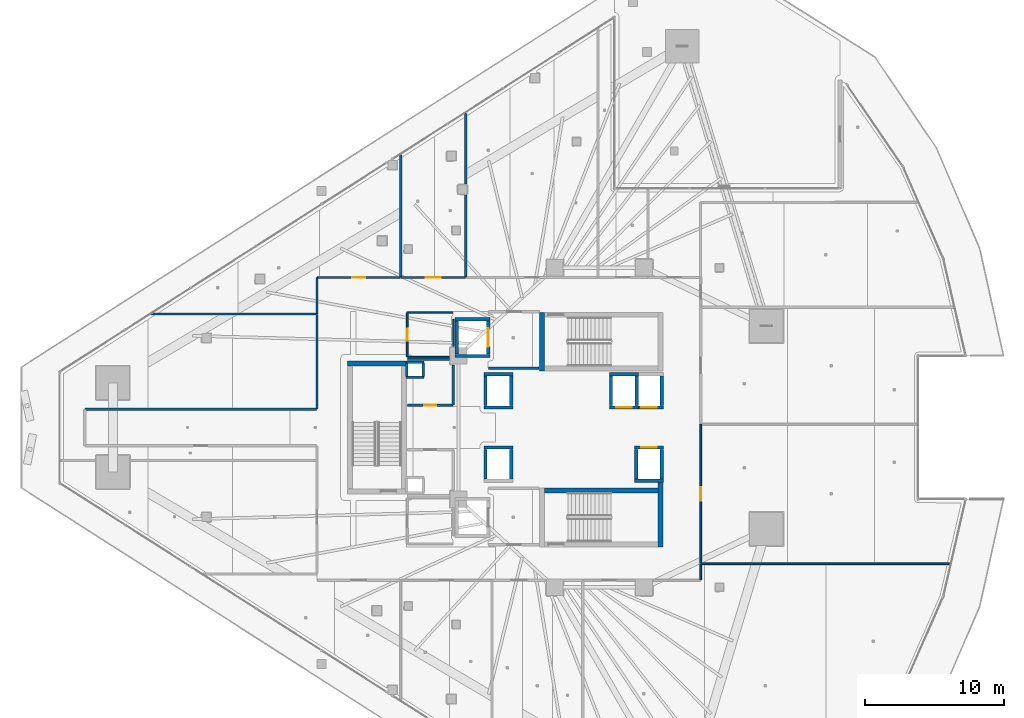
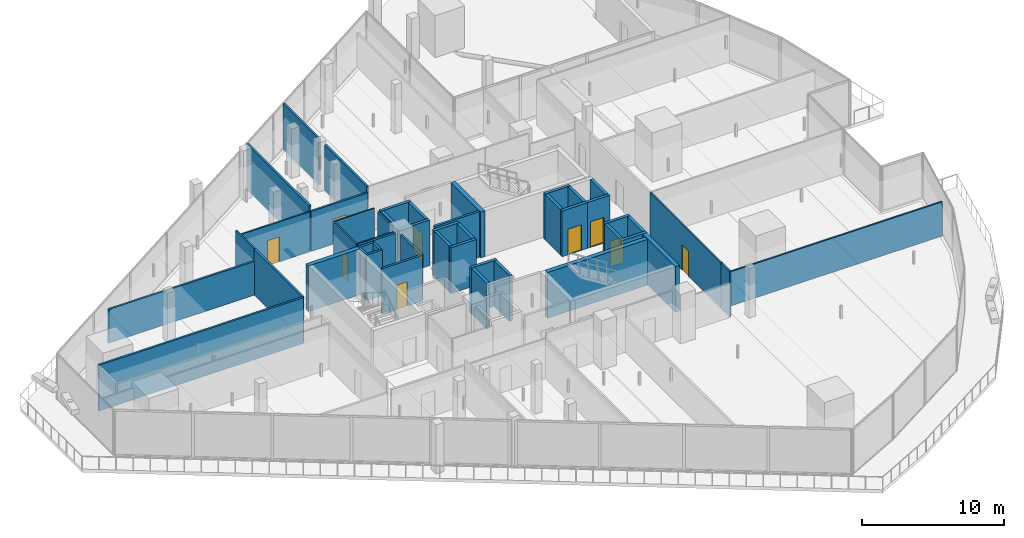
# One storey, part 32 of 47: 49 walls, 9 doors, 9 openings.
"""IFC4 building model written with IfcOpenShell, lengths in metres."""

from ifc_helpers import new_model, si_unit, direction, frame, frame_2d, origin, place, context, subcontext, project, spatial, rectangle, extrude, material, layer, layer_set, type_object, element, fill, save


model = new_model("IFC4")

# Units and contexts
model_context = context("Model", 3, precision=1e-05, world=origin(), true_north=direction((0.0, 1.0)))
body_context = subcontext(model_context, "Body", "Model", "MODEL_VIEW")
ifc_project = project(units=[si_unit("LENGTHUNIT", "METRE"), si_unit("AREAUNIT", "SQUARE_METRE"), si_unit("VOLUMEUNIT", "CUBIC_METRE"), si_unit("PLANEANGLEUNIT", "RADIAN"), si_unit("MASSUNIT", "GRAM", prefix="KILO")], contexts=[model_context])

# Site, building, storey
site_placement = place(None, origin())
site = spatial("IfcSite", under=ifc_project, at=site_placement, CompositionType="ELEMENT")
building_placement = place(site_placement, origin())
building = spatial("IfcBuilding", under=site, at=building_placement, Name="Qorvath Tower", CompositionType="ELEMENT")
storey_placement = place(building_placement, frame((0.0, 0.0, 82.800048828125)))
storey = spatial("IfcBuildingStorey", under=building, at=storey_placement, Name="L18", CompositionType="ELEMENT", Elevation=82.800048828125)

# Walls
ifc_material_1 = material(Name="Gypsum shaftliner on steel studs", Category="steel")
ifc_layer_1 = layer(ifc_material_1, 0.179931640625)
ifc_layer_set_1 = layer_set([ifc_layer_1], Name="FW-LOBBY")
wall_type_1 = type_object("IfcWallType", Name="FW-LOBBY", PredefinedType="PARTITIONING", material=ifc_layer_set_1)
for number, where, z_axis, x_axis, name in (
    (1, (-32.989990234375, 3.594970703125, 0.0), (0.0, 0.0, 1.0), (-1.0, 0.0, 0.0), "MEP Riser Shaft Enclosure Wall N-L18-S"),
    (2, (-34.260009765625, 4.675048828125, 0.0), (0.0, 0.0, 1.0), (1.0, 0.0, 0.0), "MEP Riser Shaft Enclosure Wall N-L18-N"),
):
    element("IfcWall", number, at=place(storey_placement, frame(where, z_axis=z_axis, x_axis=x_axis)), inside=storey, type_object=wall_type_1, Name=name, PredefinedType="PARTITIONING", context=body_context, shape_type="SweptSolid", body=[
        extrude(rectangle(XDim=1.27001953125, YDim=0.179931640625, at=frame_2d((0.635009765625, 0.0))), origin(), (0.0, 0.0, 1.0), 3.919921875),
    ])
for number, where, z_axis, x_axis, name in (
    (3, (-34.205078125, 3.659912109375, 0.0), (0.0, 0.0, 1.0), (0.0, 1.0, 0.0), "MEP Riser Shaft Enclosure Wall N-L18-W"),
    (4, (-33.044921875, 4.610107421875, 0.0), (0.0, 0.0, 1.0), (0.0, -1.0, 0.0), "MEP Riser Shaft Enclosure Wall N-L18-E"),
):
    element("IfcWall", number, at=place(storey_placement, frame(where, z_axis=z_axis, x_axis=x_axis)), inside=storey, type_object=wall_type_1, Name=name, PredefinedType="PARTITIONING", context=body_context, shape_type="SweptSolid", body=[
        extrude(rectangle(XDim=0.9501953125, YDim=0.179931640625, at=frame_2d((0.47509765625, 0.0))), origin(), (0.0, 0.0, 1.0), 3.919921875),
    ])
wall_1_placement = place(storey_placement, frame((-28.35498046875, 4.25, 0.0), z_axis=(0.0, 0.0, 1.0), x_axis=(1.0, 0.0, 0.0)))
element("IfcWall", 5, at=wall_1_placement, inside=storey, type_object=wall_type_1, Name="Interior Partition IW-T1-L18-001", PredefinedType="PARTITIONING", context=body_context, shape_type="SweptSolid", body=[
    extrude(rectangle(XDim=3.6220703125, YDim=0.179931640625, at=frame_2d((1.81103515625, 0.0))), origin(), (0.0, 0.0, 1.0), 3.919921875),
])

# Wall, opening, door
wall_2_placement = place(storey_placement, frame((-34.15478515625, 1.60009765625, 0.0), z_axis=(0.0, 0.0, 1.0), x_axis=(1.0, 0.0, 0.0)))
wall_2 = element("IfcWall", 6, at=wall_2_placement, inside=storey, type_object=wall_type_1, Name="Interior Partition IW-T1-L18-013", PredefinedType="PARTITIONING", context=body_context, shape_type="SweptSolid", body=[
    extrude(rectangle(XDim=3.25, YDim=0.179931640625, at=frame_2d((1.625, 0.0))), origin(), (0.0, 0.0, 1.0), 3.919921875),
])
opening_1_placement = place(wall_2_placement, frame((1.18505859375, 0.0, 0.0)))
opening_1 = element("IfcOpeningElement", 7, at=opening_1_placement, cuts=wall_2, Name="Opening D-T1-L18-03", PredefinedType="OPENING", context=body_context, shape_type="SweptSolid", body=[
    extrude(rectangle(XDim=0.8798828125, YDim=2.10009765625, at=frame_2d((0.43994140625, 1.050048828125))), frame((0.0, 0.10009765625, 0.0), z_axis=(0.0, -1.0, 0.0), x_axis=(1.0, 0.0, 0.0)), (0.0, 0.0, 1.0), 0.199951171875),
])
ifc_material_2 = material(Name="Painted galvanised hollow metal", Category="steel")
door_type_1 = type_object("IfcDoorType", Name="FD-60N", OperationType="NOTDEFINED", PredefinedType="DOOR", material=ifc_material_2)
door_1_placement = place(opening_1_placement, origin())
door_1 = element("IfcDoor", 8, at=door_1_placement, inside=storey, type_object=door_type_1, Name="Core cleaner and custodial room L18 Door D-T1-L18-03", OperationType="SINGLE_SWING_RIGHT", OverallHeight=2.10009765625, OverallWidth=0.8798828125, PredefinedType="DOOR", context=body_context, shape_type="SweptSolid", body=[
    extrude(rectangle(XDim=0.8798828125, YDim=2.10009765625, at=frame_2d((0.43994140625, 1.050048828125))), frame((0.0, 0.02490234375, 0.0), z_axis=(0.0, -1.0, 0.0), x_axis=(1.0, 0.0, 0.0)), (0.0, 0.0, 1.0), 0.050048828125),
])
fill(opening_1, door_1)

# Walls
wall_3_placement = place(storey_placement, frame((-30.8798828125, 1.625, 0.0), z_axis=(0.0, 0.0, 1.0), x_axis=(0.0, 1.0, 0.0)))
element("IfcWall", 9, at=wall_3_placement, inside=storey, type_object=wall_type_1, Name="Interior Partition IW-T1-L18-014", PredefinedType="PARTITIONING", context=body_context, shape_type="SweptSolid", body=[
    extrude(rectangle(XDim=2.860107421875, YDim=0.179931640625, at=frame_2d((1.43017578125, 0.0))), origin(), (0.0, 0.0, 1.0), 3.919921875),
])
wall_4_placement = place(storey_placement, frame((-31.1650390625, 4.89990234375, 0.0), z_axis=(0.0, 0.0, 1.0), x_axis=(-1.0, 0.0, 0.0)))
element("IfcWall", 10, at=wall_4_placement, inside=storey, type_object=wall_type_1, Name="Interior Partition IW-T1-L18-015", PredefinedType="PARTITIONING", context=body_context, shape_type="SweptSolid", body=[
    extrude(rectangle(XDim=2.98974609375, YDim=0.179931640625, at=frame_2d((1.494873046875, 0.0))), origin(), (0.0, 0.0, 1.0), 3.919921875),
])

# Wall, opening, door
ifc_material_3 = material(Name="Double acoustic gypsum board on steel studs", Category="steel")
ifc_layer_2 = layer(ifc_material_3, 0.159912109375)
ifc_layer_set_2 = layer_set([ifc_layer_2], Name="IW-ACOUSTIC-160")
wall_type_2 = type_object("IfcWallType", Name="IW-ACOUSTIC-160", PredefinedType="PARTITIONING", material=ifc_layer_set_2)
wall_5_placement = place(storey_placement, frame((-34.625, 10.758056640625, 0.0), z_axis=(0.0, 0.0, 1.0), x_axis=(1.0, 0.0, 0.0)))
wall_5 = element("IfcWall", 11, at=wall_5_placement, inside=storey, type_object=wall_type_2, Name="Interior Partition IW-T1-L18-019", PredefinedType="PARTITIONING", context=body_context, shape_type="SweptSolid", body=[
    extrude(rectangle(XDim=4.62109375, YDim=0.159912109375, at=frame_2d((2.310546875, 0.0))), origin(), (0.0, 0.0, 1.0), 3.432861328125),
])
opening_2_placement = place(wall_5_placement, frame((1.760498046875, 0.0, 0.0)))
opening_2 = element("IfcOpeningElement", 12, at=opening_2_placement, cuts=wall_5, Name="Opening D-T1-L18-05", PredefinedType="OPENING", context=body_context, shape_type="SweptSolid", body=[
    extrude(rectangle(XDim=1.10009765625, YDim=2.14990234375, at=frame_2d((0.550048828125, 1.074951171875))), frame((0.0, 0.08984375, 0.0), z_axis=(0.0, -1.0, 0.0), x_axis=(1.0, 0.0, 0.0)), (0.0, 0.0, 1.0), 0.179931640625),
])
ifc_material_4 = material(Name="Anodised aluminium acoustic framed glass", Category="aluminium")
door_type_2 = type_object("IfcDoorType", Name="D-03", OperationType="NOTDEFINED", PredefinedType="DOOR", material=ifc_material_4)
door_2_placement = place(opening_2_placement, origin())
door_2 = element("IfcDoor", 13, at=door_2_placement, inside=storey, type_object=door_type_2, Name="L18-01 Client Services Office Door D-T1-L18-05", OperationType="SINGLE_SWING_RIGHT", OverallHeight=2.14990234375, OverallWidth=1.10009765625, PredefinedType="DOOR", context=body_context, shape_type="SweptSolid", body=[
    extrude(rectangle(XDim=1.10009765625, YDim=2.14990234375, at=frame_2d((0.550048828125, 1.074951171875))), frame((0.0, 0.02490234375, 0.0), z_axis=(0.0, -1.0, 0.0), x_axis=(1.0, 0.0, 0.0)), (0.0, 0.0, 1.0), 0.050048828125),
])
fill(opening_2, door_2)

# Walls
wall_6_placement = place(storey_placement, frame((-29.97900390625, 10.783203125, 0.0), z_axis=(0.0, 0.0, 1.0), x_axis=(0.0, 1.0, 0.0)))
element("IfcWall", 14, at=wall_6_placement, inside=storey, type_object=wall_type_2, Name="Interior Partition IW-T1-L18-020", PredefinedType="PARTITIONING", context=body_context, shape_type="SweptSolid", body=[
    extrude(rectangle(XDim=5.886474609375, YDim=0.159912109375, at=frame_2d((2.943359375, 0.0))), origin(), (0.0, 0.0, 1.0), 3.919921875),
])
wall_7_placement = place(storey_placement, frame((-29.97900390625, 17.44970703125, 0.0), z_axis=(0.0, 0.0, 1.0), x_axis=(0.0, 1.0, 0.0)))
element("IfcWall", 15, at=wall_7_placement, inside=storey, type_object=wall_type_2, Name="Interior Partition IW-T1-L18-021", PredefinedType="PARTITIONING", context=body_context, shape_type="SweptSolid", body=[
    extrude(rectangle(XDim=5.072998046875, YDim=0.159912109375, at=frame_2d((2.53662109375, 0.0))), origin(), (0.0, 0.0, 1.0), 3.919921875),
])
wall_8_placement = place(storey_placement, frame((-34.64990234375, 19.537353515625, 0.0), z_axis=(0.0, 0.0, 1.0), x_axis=(0.0, -1.0, 0.0)))
element("IfcWall", 16, at=wall_8_placement, inside=storey, type_object=wall_type_2, Name="Interior Partition IW-T1-L18-022", PredefinedType="PARTITIONING", context=body_context, shape_type="SweptSolid", body=[
    extrude(rectangle(XDim=8.754150390625, YDim=0.159912109375, at=frame_2d((4.376953125, 0.0))), origin(), (0.0, 0.0, 1.0), 3.919921875),
])
wall_9_placement = place(storey_placement, frame((-57.277587890625, 1.30810546875, 0.0), z_axis=(0.0, 0.0, 1.0), x_axis=(1.0, 0.0, 0.0)))
element("IfcWall", 17, at=wall_9_placement, inside=storey, type_object=wall_type_2, Name="Interior Partition IW-T1-L18-053", PredefinedType="PARTITIONING", context=body_context, shape_type="SweptSolid", body=[
    extrude(rectangle(XDim=16.594482421875, YDim=0.159912109375, at=frame_2d((8.29736328125, 0.0))), origin(), (0.0, 0.0, 1.0), 3.919921875),
])
wall_10_placement = place(storey_placement, frame((-40.657958984375, 1.3330078125, 0.0), z_axis=(0.0, 0.0, 1.0), x_axis=(0.0, 1.0, 0.0)))
element("IfcWall", 18, at=wall_10_placement, inside=storey, type_object=wall_type_2, Name="Interior Partition IW-T1-L18-054", PredefinedType="PARTITIONING", context=body_context, shape_type="SweptSolid", body=[
    extrude(rectangle(XDim=6.7763671875, YDim=0.159912109375, at=frame_2d((3.38818359375, 0.0))), origin(), (0.0, 0.0, 1.0), 3.919921875),
])
wall_11_placement = place(storey_placement, frame((-40.68310546875, 8.13427734375, 0.0), z_axis=(0.0, 0.0, 1.0), x_axis=(-1.0, 0.0, 0.0)))
element("IfcWall", 19, at=wall_11_placement, inside=storey, type_object=wall_type_2, Name="Interior Partition IW-T1-L18-055", PredefinedType="PARTITIONING", context=body_context, shape_type="SweptSolid", body=[
    extrude(rectangle(XDim=11.853515625, YDim=0.159912109375, at=frame_2d((5.9267578125, 0.0))), origin(), (0.0, 0.0, 1.0), 2.889892578125),
])
ifc_material_5 = material(Name="Gypsum board on metal studs with mineral wool", Category="gypsum")
ifc_layer_3 = layer(ifc_material_5, 0.125)
ifc_layer_set_3 = layer_set([ifc_layer_3], Name="IW-PART-125")
wall_type_3 = type_object("IfcWallType", Name="IW-PART-125", PredefinedType="PARTITIONING", material=ifc_layer_set_3)
wall_12_placement = place(storey_placement, frame((4.711669921875, -9.774169921875, 0.0), z_axis=(0.0, 0.0, 1.0), x_axis=(-0.999999966154, 0.000260177734, 0.0)))
element("IfcWall", 20, at=wall_12_placement, inside=storey, type_object=wall_type_3, Name="Interior Partition IW-T1-L18-036", PredefinedType="PARTITIONING", context=body_context, shape_type="SweptSolid", body=[
    extrude(rectangle(XDim=17.828857421875, YDim=0.125, at=frame_2d((8.91455078125, 0.0))), origin(), (0.0, 0.0, 1.0), 2.956787109375),
])
wall_13_placement = place(storey_placement, frame((-13.14208984375, -9.79443359375, 0.0), z_axis=(0.0, 0.0, 1.0), x_axis=(0.0, -1.0, 0.0)))
element("IfcWall", 21, at=wall_13_placement, inside=storey, type_object=wall_type_3, Name="Interior Partition IW-T1-L18-037", PredefinedType="PARTITIONING", context=body_context, shape_type="SweptSolid", body=[
    extrude(rectangle(XDim=1.138671875, YDim=0.125, at=frame_2d((0.5693359375, 0.0))), origin(), (0.0, 0.0, 1.0), 3.919921875),
])

# Wall, opening, door
wall_14_placement = place(storey_placement, frame((-13.14208984375, 0.216064453125, 0.0), z_axis=(0.0, 0.0, 1.0), x_axis=(0.0, -1.0, 0.0)))
wall_14 = element("IfcWall", 22, at=wall_14_placement, inside=storey, type_object=wall_type_3, Name="Interior Partition IW-T1-L18-041", PredefinedType="PARTITIONING", context=body_context, shape_type="SweptSolid", body=[
    extrude(rectangle(XDim=9.95263671875, YDim=0.125, at=frame_2d((4.976318359375, 0.0))), origin(), (0.0, 0.0, 1.0), 3.919921875),
])
opening_3_placement = place(wall_14_placement, frame((4.50146484375, 0.0, 0.0)))
opening_3 = element("IfcOpeningElement", 23, at=opening_3_placement, cuts=wall_14, Name="Opening D-T1-L18-12", PredefinedType="OPENING", context=body_context, shape_type="SweptSolid", body=[
    extrude(rectangle(XDim=0.949951171875, YDim=2.14990234375, at=frame_2d((0.47509765625, 1.074951171875))), frame((0.0, 0.072509765625, 0.0), z_axis=(0.0, -1.0, 0.0), x_axis=(1.0, 0.0, 0.0)), (0.0, 0.0, 1.0), 0.14501953125),
])
ifc_material_6 = material(Name="Solid-core American white oak veneer", Category="wood")
door_type_3 = type_object("IfcDoorType", Name="D-01", OperationType="NOTDEFINED", PredefinedType="DOOR", material=ifc_material_6)
door_3_placement = place(opening_3_placement, origin())
door_3 = element("IfcDoor", 24, at=door_3_placement, inside=storey, type_object=door_type_3, Name="L18-08 Open Workplace Studio Door D-T1-L18-12", OperationType="SINGLE_SWING_LEFT", OverallHeight=2.14990234375, OverallWidth=0.949951171875, PredefinedType="DOOR", context=body_context, shape_type="SweptSolid", body=[
    extrude(rectangle(XDim=0.949951171875, YDim=2.14990234375, at=frame_2d((0.47509765625, 1.074951171875))), frame((0.0, 0.02490234375, 0.0), z_axis=(0.0, -1.0, 0.0), x_axis=(1.0, 0.0, 0.0)), (0.0, 0.0, 1.0), 0.050048828125),
])
fill(opening_3, door_3)

# Wall
wall_15_placement = place(storey_placement, frame((-40.657958984375, 8.167236328125, 0.0), z_axis=(0.0, 0.0, 1.0), x_axis=(0.0, 1.0, 0.0)))
element("IfcWall", 25, at=wall_15_placement, inside=storey, type_object=wall_type_3, Name="Interior Partition IW-T1-L18-056", PredefinedType="PARTITIONING", context=body_context, shape_type="SweptSolid", body=[
    extrude(rectangle(XDim=2.56591796875, YDim=0.125, at=frame_2d((1.282958984375, 0.0))), origin(), (0.0, 0.0, 1.0), 3.919921875),
])

# Wall, opening, door
wall_16_placement = place(storey_placement, frame((-40.633056640625, 10.758056640625, 0.0), z_axis=(0.0, 0.0, 1.0), x_axis=(1.0, 0.0, 0.0)))
wall_16 = element("IfcWall", 26, at=wall_16_placement, inside=storey, type_object=wall_type_3, Name="Interior Partition IW-T1-L18-057", PredefinedType="PARTITIONING", context=body_context, shape_type="SweptSolid", body=[
    extrude(rectangle(XDim=5.949951171875, YDim=0.125, at=frame_2d((2.97509765625, 0.0))), origin(), (0.0, 0.0, 1.0), 3.432861328125),
])
opening_4_placement = place(wall_16_placement, frame((2.5, 0.0, 0.0)))
opening_4 = element("IfcOpeningElement", 27, at=opening_4_placement, cuts=wall_16, Name="Opening D-T1-L18-17", PredefinedType="OPENING", context=body_context, shape_type="SweptSolid", body=[
    extrude(rectangle(XDim=0.949951171875, YDim=2.14990234375, at=frame_2d((0.47509765625, 1.074951171875))), frame((0.0, 0.072509765625, 0.0), z_axis=(0.0, -1.0, 0.0), x_axis=(1.0, 0.0, 0.0)), (0.0, 0.0, 1.0), 0.14501953125),
])
door_4_placement = place(opening_4_placement, origin())
door_4 = element("IfcDoor", 28, at=door_4_placement, inside=storey, type_object=door_type_3, Name="L18-14 Design Pin-Up Atelier Door D-T1-L18-17", OperationType="SINGLE_SWING_RIGHT", OverallHeight=2.14990234375, OverallWidth=0.949951171875, PredefinedType="DOOR", context=body_context, shape_type="SweptSolid", body=[
    extrude(rectangle(XDim=0.949951171875, YDim=2.14990234375, at=frame_2d((0.47509765625, 1.074951171875))), frame((0.0, 0.02490234375, 0.0), z_axis=(0.0, -1.0, 0.0), x_axis=(1.0, 0.0, 0.0)), (0.0, 0.0, 1.0), 0.050048828125),
])
fill(opening_4, door_4)

ifc_material_7 = material(Name="Moisture-resistant cement board on metal studs", Category="gypsum")
ifc_layer_4 = layer(ifc_material_7, 0.110107421875)
ifc_layer_set_4 = layer_set([ifc_layer_4], Name="IW-WC-110")
wall_type_4 = type_object("IfcWallType", Name="IW-WC-110", PredefinedType="PARTITIONING", material=ifc_layer_set_4)
wall_17_placement = place(storey_placement, frame((-34.179931640625, 8.22509765625, 0.0), z_axis=(0.0, 0.0, 1.0), x_axis=(0.0, -1.0, 0.0)))
wall_17 = element("IfcWall", 29, at=wall_17_placement, inside=storey, type_object=wall_type_4, Name="Interior Partition IW-T1-L18-005", PredefinedType="PARTITIONING", context=body_context, shape_type="SweptSolid", body=[
    extrude(rectangle(XDim=3.150146484375, YDim=0.110107421875, at=frame_2d((1.5751953125, 0.0))), origin(), (0.0, 0.0, 1.0), 3.919921875),
])
opening_5_placement = place(wall_17_placement, frame((1.135009765625, 0.0, 0.0)))
opening_5 = element("IfcOpeningElement", 30, at=opening_5_placement, cuts=wall_17, Name="Opening D-T1-L18-01", PredefinedType="OPENING", context=body_context, shape_type="SweptSolid", body=[
    extrude(rectangle(XDim=0.8798828125, YDim=2.10009765625, at=frame_2d((0.43994140625, 1.050048828125))), frame((0.0, 0.06494140625, 0.0), z_axis=(0.0, -1.0, 0.0), x_axis=(1.0, 0.0, 0.0)), (0.0, 0.0, 1.0), 0.130126953125),
])
ifc_material_8 = material(Name="Solid-core oak with acoustic drop seal", Category="wood")
door_type_4 = type_object("IfcDoorType", Name="D-02", OperationType="NOTDEFINED", PredefinedType="DOOR", material=ifc_material_8)
door_5_placement = place(opening_5_placement, origin())
door_5 = element("IfcDoor", 31, at=door_5_placement, inside=storey, type_object=door_type_4, Name="WC All-Gender North L18 Door D-T1-L18-01", OperationType="SINGLE_SWING_RIGHT", OverallHeight=2.10009765625, OverallWidth=0.8798828125, PredefinedType="DOOR", context=body_context, shape_type="SweptSolid", body=[
    extrude(rectangle(XDim=0.8798828125, YDim=2.10009765625, at=frame_2d((0.43994140625, 1.050048828125))), frame((0.0, 0.02490234375, 0.0), z_axis=(0.0, -1.0, 0.0), x_axis=(1.0, 0.0, 0.0)), (0.0, 0.0, 1.0), 0.050048828125),
])
fill(opening_5, door_5)

# Walls
wall_18_placement = place(storey_placement, frame((-34.15478515625, 5.050048828125, 0.0), z_axis=(0.0, 0.0, 1.0), x_axis=(1.0, 0.0, 0.0)))
element("IfcWall", 32, at=wall_18_placement, inside=storey, type_object=wall_type_4, Name="Interior Partition IW-T1-L18-006", PredefinedType="PARTITIONING", context=body_context, shape_type="SweptSolid", body=[
    extrude(rectangle(XDim=2.98974609375, YDim=0.110107421875, at=frame_2d((1.494873046875, 0.0))), origin(), (0.0, 0.0, 1.0), 3.919921875),
])
wall_19_placement = place(storey_placement, frame((-30.8798828125, 5.81494140625, 0.0), z_axis=(0.0, 0.0, 1.0), x_axis=(0.0, 1.0, 0.0)))
element("IfcWall", 33, at=wall_19_placement, inside=storey, type_object=wall_type_4, Name="Interior Partition IW-T1-L18-007", PredefinedType="PARTITIONING", context=body_context, shape_type="SweptSolid", body=[
    extrude(rectangle(XDim=1.927978515625, YDim=0.110107421875, at=frame_2d((0.9638671875, 0.0))), origin(), (0.0, 0.0, 1.0), 3.919921875),
])
wall_20_placement = place(storey_placement, frame((-30.90478515625, 8.25, 0.0), z_axis=(0.0, 0.0, 1.0), x_axis=(-1.0, 0.0, 0.0)))
element("IfcWall", 34, at=wall_20_placement, inside=storey, type_object=wall_type_4, Name="Interior Partition IW-T1-L18-008", PredefinedType="PARTITIONING", context=body_context, shape_type="SweptSolid", body=[
    extrude(rectangle(XDim=3.25, YDim=0.110107421875, at=frame_2d((1.625, 0.0))), origin(), (0.0, 0.0, 1.0), 3.919921875),
])
ifc_material_9 = material(Name="Concrete C60/75", Category="concrete")
ifc_layer_5 = layer(ifc_material_9, 0.260009765625)
ifc_layer_set_5 = layer_set([ifc_layer_5], Name="SW-SHAFT")
wall_type_5 = type_object("IfcWallType", Name="SW-SHAFT", PredefinedType="SHEAR", material=ifc_layer_set_5)
for number, where, z_axis, x_axis, name in (
    (35, (-28.260009765625, 5.1298828125, 0.0), (0.0, 0.0, 1.0), (-1.0, 0.0, 0.0), "Hoistway Wall FSAE-1 L18 S"),
    (36, (-30.739990234375, 7.77001953125, 0.0), (0.0, 0.0, 1.0), (1.0, 0.0, 0.0), "Hoistway Wall FSAE-1 L18 N"),
):
    element("IfcWall", number, at=place(storey_placement, frame(where, z_axis=z_axis, x_axis=x_axis)), inside=storey, type_object=wall_type_5, Name=name, PredefinedType="SHEAR", context=body_context, shape_type="SweptSolid", body=[
        extrude(rectangle(XDim=2.47998046875, YDim=0.239990234375, at=frame_2d((1.239990234375, 0.0))), origin(), (0.0, 0.0, 1.0), 3.919921875),
    ])
wall_21_placement = place(storey_placement, frame((-30.6201171875, 5.261962890625, 0.0), z_axis=(0.0, 0.0, 1.0), x_axis=(0.0, 1.0, 0.0)))
element("IfcWall", 37, at=wall_21_placement, inside=storey, type_object=wall_type_5, Name="Hoistway Wall FSAE-1 L18 W", PredefinedType="SHEAR", context=body_context, shape_type="SweptSolid", body=[
    extrude(rectangle(XDim=2.3759765625, YDim=0.239990234375, at=frame_2d((1.18798828125, 0.0))), origin(), (0.0, 0.0, 1.0), 3.919921875),
])

# Wall, opening, door
wall_22_placement = place(storey_placement, frame((-28.3798828125, 7.637939453125, 0.0), z_axis=(0.0, 0.0, 1.0), x_axis=(0.0, -1.0, 0.0)))
wall_22 = element("IfcWall", 38, at=wall_22_placement, inside=storey, type_object=wall_type_5, Name="Hoistway Wall FSAE-1 L18 E", PredefinedType="SHEAR", context=body_context, shape_type="SweptSolid", body=[
    extrude(rectangle(XDim=2.3759765625, YDim=0.239990234375, at=frame_2d((1.18798828125, 0.0))), origin(), (0.0, 0.0, 1.0), 3.919921875),
])
opening_6_placement = place(wall_22_placement, frame((0.537841796875, 0.0, 0.0)))
opening_6 = element("IfcOpeningElement", 39, at=opening_6_placement, cuts=wall_22, Name="Opening LD-FSAE-1-L18", PredefinedType="OPENING", context=body_context, shape_type="SweptSolid", body=[
    extrude(rectangle(XDim=1.300048828125, YDim=2.300048828125, at=frame_2d((0.64990234375, 1.14990234375))), frame((0.0, 0.1298828125, 0.0), z_axis=(0.0, -1.0, 0.0), x_axis=(1.0, 0.0, 0.0)), (0.0, 0.0, 1.0), 0.260009765625),
])
ifc_material_10 = material(Name="Brushed stainless steel AISI 316", Category="steel")
door_type_5 = type_object("IfcDoorType", Name="LD-02", OperationType="NOTDEFINED", PredefinedType="DOOR", material=ifc_material_10)
door_6_placement = place(opening_6_placement, origin())
door_6 = element("IfcDoor", 40, at=door_6_placement, inside=storey, type_object=door_type_5, Name="Elevator Landing Sliding Door LD-FSAE-1-L18", OperationType="DOUBLE_DOOR_SLIDING", OverallHeight=2.300048828125, OverallWidth=1.300048828125, PredefinedType="DOOR", context=body_context, shape_type="SweptSolid", body=[
    extrude(rectangle(XDim=1.300048828125, YDim=2.300048828125, at=frame_2d((0.64990234375, 1.14990234375))), frame((0.0, 0.02490234375, 0.0), z_axis=(0.0, -1.0, 0.0), x_axis=(1.0, 0.0, 0.0)), (0.0, 0.0, 1.0), 0.050048828125),
])
fill(opening_6, door_6)

# Walls
for number, where, z_axis, x_axis, name in (
    (41, (-26.610107421875, 1.429931640625, 0.0), (0.0, 0.0, 1.0), (-1.0, 0.0, 0.0), "Hoistway Wall PS-1 L18 S"),
    (42, (-28.68994140625, 3.820068359375, 0.0), (0.0, 0.0, 1.0), (1.0, 0.0, 0.0), "Hoistway Wall PS-1 L18 N"),
):
    element("IfcWall", number, at=place(storey_placement, frame(where, z_axis=z_axis, x_axis=x_axis)), inside=storey, type_object=wall_type_5, Name=name, PredefinedType="SHEAR", context=body_context, shape_type="SweptSolid", body=[
        extrude(rectangle(XDim=2.079833984375, YDim=0.239990234375, at=frame_2d((1.0400390625, 0.0))), origin(), (0.0, 0.0, 1.0), 3.919921875),
    ])
for number, where, z_axis, x_axis, name in (
    (43, (-28.570068359375, 1.56201171875, 0.0), (0.0, 0.0, 1.0), (0.0, 1.0, 0.0), "Hoistway Wall PS-1 L18 W"),
    (44, (-26.72998046875, 3.68798828125, 0.0), (0.0, 0.0, 1.0), (0.0, -1.0, 0.0), "Hoistway Wall PS-1 L18 E"),
):
    element("IfcWall", number, at=place(storey_placement, frame(where, z_axis=z_axis, x_axis=x_axis)), inside=storey, type_object=wall_type_5, Name=name, PredefinedType="SHEAR", context=body_context, shape_type="SweptSolid", body=[
        extrude(rectangle(XDim=2.1259765625, YDim=0.239990234375, at=frame_2d((1.06298828125, 0.0))), origin(), (0.0, 0.0, 1.0), 3.919921875),
    ])

# Wall, opening, door
wall_23_placement = place(storey_placement, frame((-17.610107421875, 1.429931640625, 0.0), z_axis=(0.0, 0.0, 1.0), x_axis=(-1.0, 0.0, 0.0)))
wall_23 = element("IfcWall", 45, at=wall_23_placement, inside=storey, type_object=wall_type_5, Name="Hoistway Wall PL-1 L18 S", PredefinedType="SHEAR", context=body_context, shape_type="SweptSolid", body=[
    extrude(rectangle(XDim=2.079833984375, YDim=0.239990234375, at=frame_2d((1.0400390625, 0.0))), origin(), (0.0, 0.0, 1.0), 3.919921875),
])
opening_7_placement = place(wall_23_placement, frame((0.48974609375, 0.0, 0.0)))
opening_7 = element("IfcOpeningElement", 46, at=opening_7_placement, cuts=wall_23, Name="Opening LD-PL-1-L18", PredefinedType="OPENING", context=body_context, shape_type="SweptSolid", body=[
    extrude(rectangle(XDim=1.10009765625, YDim=2.199951171875, at=frame_2d((0.550048828125, 1.10009765625))), frame((0.0, 0.1298828125, 0.0), z_axis=(0.0, -1.0, 0.0), x_axis=(1.0, 0.0, 0.0)), (0.0, 0.0, 1.0), 0.260009765625),
])
ifc_material_11 = material(Name="Brushed stainless steel AISI 316", Category="steel")
door_type_6 = type_object("IfcDoorType", Name="LD-01", OperationType="NOTDEFINED", PredefinedType="DOOR", material=ifc_material_11)
door_7_placement = place(opening_7_placement, origin())
door_7 = element("IfcDoor", 47, at=door_7_placement, inside=storey, type_object=door_type_6, Name="Elevator Landing Sliding Door LD-PL-1-L18", OperationType="DOUBLE_DOOR_SLIDING", OverallHeight=2.199951171875, OverallWidth=1.10009765625, PredefinedType="DOOR", context=body_context, shape_type="SweptSolid", body=[
    extrude(rectangle(XDim=1.10009765625, YDim=2.199951171875, at=frame_2d((0.550048828125, 1.10009765625))), frame((0.0, 0.02490234375, 0.0), z_axis=(0.0, -1.0, 0.0), x_axis=(1.0, 0.0, 0.0)), (0.0, 0.0, 1.0), 0.050048828125),
])
fill(opening_7, door_7)

# Walls
wall_24_placement = place(storey_placement, frame((-19.68994140625, 3.820068359375, 0.0), z_axis=(0.0, 0.0, 1.0), x_axis=(1.0, 0.0, 0.0)))
element("IfcWall", 48, at=wall_24_placement, inside=storey, type_object=wall_type_5, Name="Hoistway Wall PL-1 L18 N", PredefinedType="SHEAR", context=body_context, shape_type="SweptSolid", body=[
    extrude(rectangle(XDim=2.079833984375, YDim=0.239990234375, at=frame_2d((1.0400390625, 0.0))), origin(), (0.0, 0.0, 1.0), 3.919921875),
])
for number, where, z_axis, x_axis, name in (
    (49, (-19.570068359375, 1.56201171875, 0.0), (0.0, 0.0, 1.0), (0.0, 1.0, 0.0), "Hoistway Wall PL-1 L18 W"),
    (50, (-17.72998046875, 3.68798828125, 0.0), (0.0, 0.0, 1.0), (0.0, -1.0, 0.0), "Hoistway Wall PL-1 L18 E"),
):
    element("IfcWall", number, at=place(storey_placement, frame(where, z_axis=z_axis, x_axis=x_axis)), inside=storey, type_object=wall_type_5, Name=name, PredefinedType="SHEAR", context=body_context, shape_type="SweptSolid", body=[
        extrude(rectangle(XDim=2.1259765625, YDim=0.239990234375, at=frame_2d((1.06298828125, 0.0))), origin(), (0.0, 0.0, 1.0), 3.919921875),
    ])

# Wall, opening, door
wall_25_placement = place(storey_placement, frame((-15.81005859375, 1.429931640625, 0.0), z_axis=(0.0, 0.0, 1.0), x_axis=(-1.0, 0.0, 0.0)))
wall_25 = element("IfcWall", 51, at=wall_25_placement, inside=storey, type_object=wall_type_5, Name="Hoistway Wall PL-3 L18 S", PredefinedType="SHEAR", context=body_context, shape_type="SweptSolid", body=[
    extrude(rectangle(XDim=1.800048828125, YDim=0.239990234375, at=frame_2d((0.89990234375, 0.0))), origin(), (0.0, 0.0, 1.0), 3.919921875),
])
opening_8_placement = place(wall_25_placement, frame((0.489990234375, 0.0, 0.0)))
opening_8 = element("IfcOpeningElement", 52, at=opening_8_placement, cuts=wall_25, Name="Opening LD-PL-3-L18", PredefinedType="OPENING", context=body_context, shape_type="SweptSolid", body=[
    extrude(rectangle(XDim=1.10009765625, YDim=2.199951171875, at=frame_2d((0.550048828125, 1.10009765625))), frame((0.0, 0.1298828125, 0.0), z_axis=(0.0, -1.0, 0.0), x_axis=(1.0, 0.0, 0.0)), (0.0, 0.0, 1.0), 0.260009765625),
])
door_8_placement = place(opening_8_placement, origin())
door_8 = element("IfcDoor", 53, at=door_8_placement, inside=storey, type_object=door_type_6, Name="Elevator Landing Sliding Door LD-PL-3-L18", OperationType="DOUBLE_DOOR_SLIDING", OverallHeight=2.199951171875, OverallWidth=1.10009765625, PredefinedType="DOOR", context=body_context, shape_type="SweptSolid", body=[
    extrude(rectangle(XDim=1.10009765625, YDim=2.199951171875, at=frame_2d((0.550048828125, 1.10009765625))), frame((0.0, 0.02490234375, 0.0), z_axis=(0.0, -1.0, 0.0), x_axis=(1.0, 0.0, 0.0)), (0.0, 0.0, 1.0), 0.050048828125),
])
fill(opening_8, door_8)

# Walls
wall_26_placement = place(storey_placement, frame((-15.929931640625, 3.68798828125, 0.0), z_axis=(0.0, 0.0, 1.0), x_axis=(0.0, -1.0, 0.0)))
element("IfcWall", 54, at=wall_26_placement, inside=storey, type_object=wall_type_5, Name="Hoistway Wall PL-3 L18 E", PredefinedType="SHEAR", context=body_context, shape_type="SweptSolid", body=[
    extrude(rectangle(XDim=2.1259765625, YDim=0.239990234375, at=frame_2d((1.06298828125, 0.0))), origin(), (0.0, 0.0, 1.0), 3.919921875),
])
wall_27_placement = place(storey_placement, frame((-28.68994140625, -1.429931640625, 0.0), z_axis=(0.0, 0.0, 1.0), x_axis=(1.0, 0.0, 0.0)))
element("IfcWall", 55, at=wall_27_placement, inside=storey, type_object=wall_type_5, Name="Hoistway Wall PS-2 L18 N", PredefinedType="SHEAR", context=body_context, shape_type="SweptSolid", body=[
    extrude(rectangle(XDim=2.079833984375, YDim=0.239990234375, at=frame_2d((1.0400390625, 0.0))), origin(), (0.0, 0.0, 1.0), 3.919921875),
])
for number, where, z_axis, x_axis, name in (
    (56, (-28.570068359375, -3.68798828125, 0.0), (0.0, 0.0, 1.0), (0.0, 1.0, 0.0), "Hoistway Wall PS-2 L18 W"),
    (57, (-26.72998046875, -1.56201171875, 0.0), (0.0, 0.0, 1.0), (0.0, -1.0, 0.0), "Hoistway Wall PS-2 L18 E"),
):
    element("IfcWall", number, at=place(storey_placement, frame(where, z_axis=z_axis, x_axis=x_axis)), inside=storey, type_object=wall_type_5, Name=name, PredefinedType="SHEAR", context=body_context, shape_type="SweptSolid", body=[
        extrude(rectangle(XDim=2.1259765625, YDim=0.239990234375, at=frame_2d((1.06298828125, 0.0))), origin(), (0.0, 0.0, 1.0), 3.919921875),
    ])
wall_28_placement = place(storey_placement, frame((-15.81005859375, -3.820068359375, 0.0), z_axis=(0.0, 0.0, 1.0), x_axis=(-1.0, 0.0, 0.0)))
element("IfcWall", 58, at=wall_28_placement, inside=storey, type_object=wall_type_5, Name="Hoistway Wall PL-2 L18 S", PredefinedType="SHEAR", context=body_context, shape_type="SweptSolid", body=[
    extrude(rectangle(XDim=2.079833984375, YDim=0.239990234375, at=frame_2d((1.0400390625, 0.0))), origin(), (0.0, 0.0, 1.0), 3.919921875),
])

# Wall, opening, door
wall_29_placement = place(storey_placement, frame((-17.889892578125, -1.429931640625, 0.0), z_axis=(0.0, 0.0, 1.0), x_axis=(1.0, 0.0, 0.0)))
wall_29 = element("IfcWall", 59, at=wall_29_placement, inside=storey, type_object=wall_type_5, Name="Hoistway Wall PL-2 L18 N", PredefinedType="SHEAR", context=body_context, shape_type="SweptSolid", body=[
    extrude(rectangle(XDim=2.079833984375, YDim=0.239990234375, at=frame_2d((1.0400390625, 0.0))), origin(), (0.0, 0.0, 1.0), 3.919921875),
])
opening_9_placement = place(wall_29_placement, frame((0.48974609375, 0.0, 0.0)))
opening_9 = element("IfcOpeningElement", 60, at=opening_9_placement, cuts=wall_29, Name="Opening LD-PL-2-L18", PredefinedType="OPENING", context=body_context, shape_type="SweptSolid", body=[
    extrude(rectangle(XDim=1.10009765625, YDim=2.199951171875, at=frame_2d((0.550048828125, 1.10009765625))), frame((0.0, 0.1298828125, 0.0), z_axis=(0.0, -1.0, 0.0), x_axis=(1.0, 0.0, 0.0)), (0.0, 0.0, 1.0), 0.260009765625),
])
door_9_placement = place(opening_9_placement, origin())
door_9 = element("IfcDoor", 61, at=door_9_placement, inside=storey, type_object=door_type_6, Name="Elevator Landing Sliding Door LD-PL-2-L18", OperationType="DOUBLE_DOOR_SLIDING", OverallHeight=2.199951171875, OverallWidth=1.10009765625, PredefinedType="DOOR", context=body_context, shape_type="SweptSolid", body=[
    extrude(rectangle(XDim=1.10009765625, YDim=2.199951171875, at=frame_2d((0.550048828125, 1.10009765625))), frame((0.0, 0.02490234375, 0.0), z_axis=(0.0, -1.0, 0.0), x_axis=(1.0, 0.0, 0.0)), (0.0, 0.0, 1.0), 0.050048828125),
])
fill(opening_9, door_9)

# Walls
for number, where, z_axis, x_axis, name in (
    (62, (-17.77001953125, -3.68798828125, 0.0), (0.0, 0.0, 1.0), (0.0, 1.0, 0.0), "Hoistway Wall PL-2 L18 W"),
    (63, (-15.929931640625, -1.56201171875, 0.0), (0.0, 0.0, 1.0), (0.0, -1.0, 0.0), "Hoistway Wall PL-2 L18 E"),
):
    element("IfcWall", number, at=place(storey_placement, frame(where, z_axis=z_axis, x_axis=x_axis)), inside=storey, type_object=wall_type_5, Name=name, PredefinedType="SHEAR", context=body_context, shape_type="SweptSolid", body=[
        extrude(rectangle(XDim=2.1259765625, YDim=0.239990234375, at=frame_2d((1.06298828125, 0.0))), origin(), (0.0, 0.0, 1.0), 3.919921875),
    ])
ifc_material_12 = material(Name="Concrete C60/75", Category="concrete")
ifc_layer_6 = layer(ifc_material_12, 0.35009765625)
ifc_layer_set_6 = layer_set([ifc_layer_6], Name="SW-STAIR")
wall_type_6 = type_object("IfcWallType", Name="SW-STAIR", PredefinedType="SHEAR", material=ifc_layer_set_6)
wall_30_placement = place(storey_placement, frame((-24.52490234375, 8.260009765625, 0.0), z_axis=(0.0, 0.0, 1.0), x_axis=(0.0, -1.0, 0.0)))
element("IfcWall", 64, at=wall_30_placement, inside=storey, type_object=wall_type_6, Name="Stair TS1 Shear Wall L18 NEAR", PredefinedType="SHEAR", context=body_context, shape_type="SweptSolid", body=[
    extrude(rectangle(XDim=4.2099609375, YDim=0.35009765625, at=frame_2d((2.10498046875, 0.0))), origin(), (0.0, 0.0, 1.0), 3.919921875),
])
wall_31_placement = place(storey_placement, frame((-16.02490234375, -8.550048828125, 0.0), z_axis=(0.0, 0.0, 1.0), x_axis=(0.0, 1.0, 0.0)))
element("IfcWall", 65, at=wall_31_placement, inside=storey, type_object=wall_type_6, Name="Stair TS2 Shear Wall L18 FAR", PredefinedType="SHEAR", context=body_context, shape_type="SweptSolid", body=[
    extrude(rectangle(XDim=4.610107421875, YDim=0.35009765625, at=frame_2d((2.30517578125, 0.0))), origin(), (0.0, 0.0, 1.0), 3.919921875),
])
wall_32_placement = place(storey_placement, frame((-16.215087890625, -4.514892578125, 0.0), z_axis=(0.0, 0.0, 1.0), x_axis=(-1.0, 0.0, 0.0)))
element("IfcWall", 66, at=wall_32_placement, inside=storey, type_object=wall_type_6, Name="Stair TS2 Shear Wall L18 RIGHT", PredefinedType="SHEAR", context=body_context, shape_type="SweptSolid", body=[
    extrude(rectangle(XDim=8.119873046875, YDim=0.35009765625, at=frame_2d((4.06005859375, 0.0))), origin(), (0.0, 0.0, 1.0), 3.919921875),
])
wall_33_placement = place(storey_placement, frame((-34.25, 4.574951171875, 0.0), z_axis=(0.0, 0.0, 1.0), x_axis=(-1.0, 0.0, 0.0)))
element("IfcWall", 67, at=wall_33_placement, inside=storey, type_object=wall_type_6, Name="Stair TS3 Shear Wall L18 FAR", PredefinedType="SHEAR", context=body_context, shape_type="SweptSolid", body=[
    extrude(rectangle(XDim=4.2099609375, YDim=0.35009765625, at=frame_2d((2.10498046875, 0.0))), origin(), (0.0, 0.0, 1.0), 3.919921875),
])

save(model, "model.ifc")
